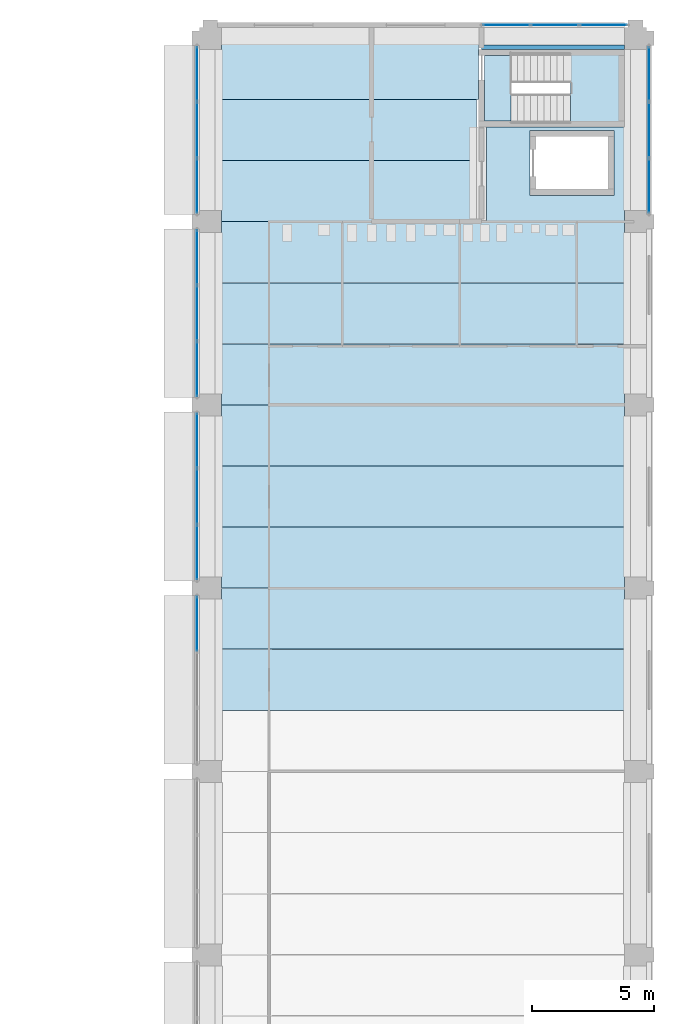
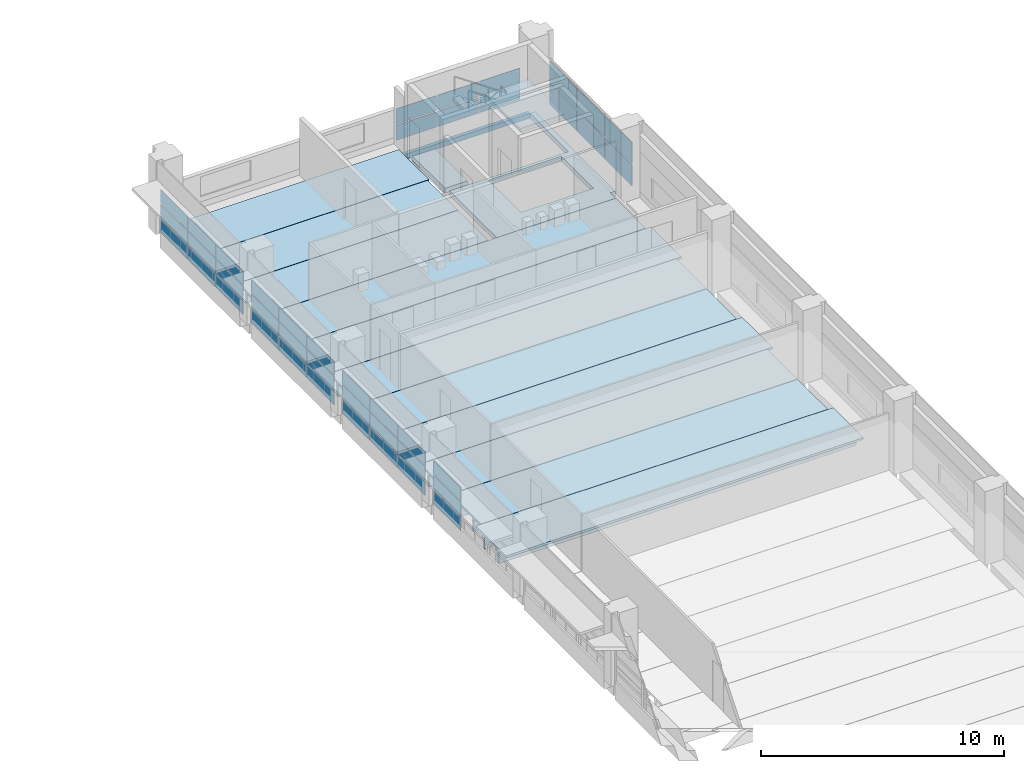
# One storey, part 28 of 57: 42 plates, 15 slabs, 7 elements without a shape of their own.
"""IFC4 building model written with IfcOpenShell, lengths in metres."""

from ifc_helpers import new_model, si_unit, direction, frame, origin, origin_2d, place, context, subcontext, project, spatial, polyline, rectangle, outline, extrude, material, layer, layer_set, material_profile, profile_set, type_object, element, aggregate, save


model = new_model("IFC4")

# Units and contexts
model_context = context("Model", 3, precision=1e-05, world=origin(), true_north=direction((0.0, 1.0)))
body_context = subcontext(model_context, "Body", "Model", "MODEL_VIEW")
ifc_project = project(units=[si_unit("LENGTHUNIT", "METRE"), si_unit("AREAUNIT", "SQUARE_METRE"), si_unit("VOLUMEUNIT", "CUBIC_METRE"), si_unit("PLANEANGLEUNIT", "RADIAN"), si_unit("MASSUNIT", "GRAM", prefix="KILO")], contexts=[model_context])

# Site, building, storey
site_placement = place(None, origin())
site = spatial("IfcSite", under=ifc_project, at=site_placement, CompositionType="ELEMENT")
building_placement = place(site_placement, origin())
building = spatial("IfcBuilding", under=site, at=building_placement, Name="Cour d'Honneur Mobility Palace", CompositionType="ELEMENT")
storey_placement = place(building_placement, frame((0.0, 0.0, 8.199951171875)))
storey = spatial("IfcBuildingStorey", under=building, at=storey_placement, Name="L02", CompositionType="ELEMENT", Elevation=8.199951171875)

# Slabs
ifc_material_1 = material(Name="Concrete C50", Category="concrete")
ifc_layer_1 = layer(ifc_material_1, 0.25)
ifc_layer_set_1 = layer_set([ifc_layer_1], Name="Concrete C50")
slab_type_1 = type_object("IfcSlabType", Name="Cast-in-place Slab 250", PredefinedType="FLOOR", material=ifc_layer_set_1)
slab_1_placement = place(storey_placement, frame((0.0, 0.0, -0.25)))
element("IfcSlab", 1, at=slab_1_placement, inside=storey, type_object=slab_type_1, Name="Cast-in-place slab S1 L02 core", PredefinedType="FLOOR", context=body_context, shape_type="SweptSolid", body=[
    extrude(outline(polyline([(161.85009765625, 114.449951171875), (156.0, 114.449951171875), (156.0, 114.625), (161.85009765625, 114.625), (161.85009765625, 114.449951171875)])), origin(), (0.0, 0.0, 1.0), 0.25),
])
slab_2_placement = place(storey_placement, frame((0.0, 0.0, -0.25)))
element("IfcSlab", 2, at=slab_2_placement, inside=storey, type_object=slab_type_1, Name="Cast-in-place slab S1 L02 core", PredefinedType="FLOOR", context=body_context, shape_type="SweptSolid", body=[
    extrude(outline(polyline([(162.10009765625, 114.449951171875), (162.10009765625, 107.85009765625), (161.85009765625, 107.85009765625), (161.85009765625, 107.39990234375), (156.199951171875, 107.39990234375), (156.199951171875, 111.27490234375), (161.85009765625, 111.27490234375), (161.85009765625, 114.449951171875), (162.10009765625, 114.449951171875)]), holes=[polyline([(161.425048828125, 111.125), (157.97509765625, 111.125), (157.97509765625, 108.47509765625), (161.425048828125, 108.47509765625), (161.425048828125, 111.125)])]), origin(), (0.0, 0.0, 1.0), 0.25),
])
slab_3_placement = place(storey_placement, frame((0.0, 0.0, -0.25)))
element("IfcSlab", 3, at=slab_3_placement, inside=storey, type_object=slab_type_1, Name="Cast-in-place slab S1 L02 core", PredefinedType="FLOOR", context=body_context, shape_type="SweptSolid", body=[
    extrude(outline(polyline([(156.125, 114.199951171875), (157.199951171875, 114.199951171875), (157.199951171875, 111.52490234375), (156.125, 111.52490234375), (156.125, 114.199951171875)])), origin(), (0.0, 0.0, 1.0), 0.25),
])

# Curtain wall, plates
ifc_material_2 = material(Name="Aluminium and glass", Category="aluminium")
ifc_layer_2 = layer(ifc_material_2, 0.10009765625)
ifc_layer_set_2 = layer_set([ifc_layer_2], Name="Aluminium and glass")
curtain_wall_type = type_object("IfcCurtainWallType", Name="Curtain wall run", PredefinedType="NOTDEFINED", material=ifc_layer_set_2)
curtain_wall_1_placement = place(storey_placement, origin())
curtain_wall_1 = element("IfcCurtainWall", 4, at=curtain_wall_1_placement, inside=storey, type_object=curtain_wall_type, Name="Curtain wall CW-51", PredefinedType="NOTDEFINED")
ifc_material_3 = material(Name="Double glazing", Category="glass")
ifc_layer_3 = layer(ifc_material_3, 0.028076171875)
ifc_layer_set_3 = layer_set([ifc_layer_3], Name="Double glazing")
plate_type = type_object("IfcPlateType", Name="Curtain wall panel", PredefinedType="CURTAIN_PANEL", material=ifc_layer_set_3)
plate_1_placement = place(storey_placement, frame((144.35009765625, 113.43505859375, 0.06005859375), z_axis=(0.0, 0.0, 1.0), x_axis=(0.0, -1.0, 0.0)))
plate_1 = element("IfcPlate", 5, at=plate_1_placement, type_object=plate_type, Name="CW-51 panel 1.1", PredefinedType="CURTAIN_PANEL", context=body_context, shape_type="SweptSolid", body=[
    extrude(rectangle(XDim=2.2099609375, YDim=0.028076171875, at=origin_2d()), origin(), (0.0, 0.0, 1.0), 0.6767578125),
])
plate_2_placement = place(storey_placement, frame((144.35009765625, 113.43505859375, 0.796875), z_axis=(0.0, 0.0, 1.0), x_axis=(0.0, -1.0, 0.0)))
plate_2 = element("IfcPlate", 6, at=plate_2_placement, type_object=plate_type, Name="CW-51 panel 1.2", PredefinedType="CURTAIN_PANEL", context=body_context, shape_type="SweptSolid", body=[
    extrude(rectangle(XDim=2.2099609375, YDim=0.028076171875, at=origin_2d()), origin(), (0.0, 0.0, 1.0), 0.706787109375),
])
plate_3_placement = place(storey_placement, frame((144.35009765625, 113.43505859375, 1.563232421875), z_axis=(0.0, 0.0, 1.0), x_axis=(0.0, -1.0, 0.0)))
plate_3 = element("IfcPlate", 7, at=plate_3_placement, type_object=plate_type, Name="CW-51 panel 1.3", PredefinedType="CURTAIN_PANEL", context=body_context, shape_type="SweptSolid", body=[
    extrude(rectangle(XDim=2.2099609375, YDim=0.028076171875, at=origin_2d()), origin(), (0.0, 0.0, 1.0), 0.6767578125),
])
plate_4_placement = place(storey_placement, frame((144.35009765625, 111.14990234375, 0.06005859375), z_axis=(0.0, 0.0, 1.0), x_axis=(0.0, -1.0, 0.0)))
plate_4 = element("IfcPlate", 8, at=plate_4_placement, type_object=plate_type, Name="CW-51 panel 2.1", PredefinedType="CURTAIN_PANEL", context=body_context, shape_type="SweptSolid", body=[
    extrude(rectangle(XDim=2.239990234375, YDim=0.028076171875, at=origin_2d()), origin(), (0.0, 0.0, 1.0), 0.6767578125),
])
plate_5_placement = place(storey_placement, frame((144.35009765625, 111.14990234375, 0.796875), z_axis=(0.0, 0.0, 1.0), x_axis=(0.0, -1.0, 0.0)))
plate_5 = element("IfcPlate", 9, at=plate_5_placement, type_object=plate_type, Name="CW-51 panel 2.2", PredefinedType="CURTAIN_PANEL", context=body_context, shape_type="SweptSolid", body=[
    extrude(rectangle(XDim=2.239990234375, YDim=0.028076171875, at=origin_2d()), origin(), (0.0, 0.0, 1.0), 0.706787109375),
])
plate_6_placement = place(storey_placement, frame((144.35009765625, 111.14990234375, 1.563232421875), z_axis=(0.0, 0.0, 1.0), x_axis=(0.0, -1.0, 0.0)))
plate_6 = element("IfcPlate", 10, at=plate_6_placement, type_object=plate_type, Name="CW-51 panel 2.3", PredefinedType="CURTAIN_PANEL", context=body_context, shape_type="SweptSolid", body=[
    extrude(rectangle(XDim=2.239990234375, YDim=0.028076171875, at=origin_2d()), origin(), (0.0, 0.0, 1.0), 0.6767578125),
])
plate_7_placement = place(storey_placement, frame((144.35009765625, 108.864990234375, 0.06005859375), z_axis=(0.0, 0.0, 1.0), x_axis=(0.0, -1.0, 0.0)))
plate_7 = element("IfcPlate", 11, at=plate_7_placement, type_object=plate_type, Name="CW-51 panel 3.1", PredefinedType="CURTAIN_PANEL", context=body_context, shape_type="SweptSolid", body=[
    extrude(rectangle(XDim=2.2099609375, YDim=0.028076171875, at=origin_2d()), origin(), (0.0, 0.0, 1.0), 0.6767578125),
])
plate_8_placement = place(storey_placement, frame((144.35009765625, 108.864990234375, 0.796875), z_axis=(0.0, 0.0, 1.0), x_axis=(0.0, -1.0, 0.0)))
plate_8 = element("IfcPlate", 12, at=plate_8_placement, type_object=plate_type, Name="CW-51 panel 3.2", PredefinedType="CURTAIN_PANEL", context=body_context, shape_type="SweptSolid", body=[
    extrude(rectangle(XDim=2.2099609375, YDim=0.028076171875, at=origin_2d()), origin(), (0.0, 0.0, 1.0), 0.706787109375),
])
plate_9_placement = place(storey_placement, frame((144.35009765625, 108.864990234375, 1.563232421875), z_axis=(0.0, 0.0, 1.0), x_axis=(0.0, -1.0, 0.0)))
plate_9 = element("IfcPlate", 13, at=plate_9_placement, type_object=plate_type, Name="CW-51 panel 3.3", PredefinedType="CURTAIN_PANEL", context=body_context, shape_type="SweptSolid", body=[
    extrude(rectangle(XDim=2.2099609375, YDim=0.028076171875, at=origin_2d()), origin(), (0.0, 0.0, 1.0), 0.6767578125),
])
aggregate(curtain_wall_1, [plate_1, plate_2, plate_3, plate_4, plate_5, plate_6, plate_7, plate_8, plate_9])

curtain_wall_2_placement = place(storey_placement, origin())
curtain_wall_2 = element("IfcCurtainWall", 14, at=curtain_wall_2_placement, inside=storey, type_object=curtain_wall_type, Name="Curtain wall CW-52", PredefinedType="NOTDEFINED")
plate_10_placement = place(storey_placement, frame((144.35009765625, 105.93505859375, 0.06005859375), z_axis=(0.0, 0.0, 1.0), x_axis=(0.0, -1.0, 0.0)))
plate_10 = element("IfcPlate", 15, at=plate_10_placement, type_object=plate_type, Name="CW-52 panel 1.1", PredefinedType="CURTAIN_PANEL", context=body_context, shape_type="SweptSolid", body=[
    extrude(rectangle(XDim=2.2099609375, YDim=0.028076171875, at=origin_2d()), origin(), (0.0, 0.0, 1.0), 0.6767578125),
])
plate_11_placement = place(storey_placement, frame((144.35009765625, 105.93505859375, 0.796875), z_axis=(0.0, 0.0, 1.0), x_axis=(0.0, -1.0, 0.0)))
plate_11 = element("IfcPlate", 16, at=plate_11_placement, type_object=plate_type, Name="CW-52 panel 1.2", PredefinedType="CURTAIN_PANEL", context=body_context, shape_type="SweptSolid", body=[
    extrude(rectangle(XDim=2.2099609375, YDim=0.028076171875, at=origin_2d()), origin(), (0.0, 0.0, 1.0), 0.706787109375),
])
plate_12_placement = place(storey_placement, frame((144.35009765625, 105.93505859375, 1.563232421875), z_axis=(0.0, 0.0, 1.0), x_axis=(0.0, -1.0, 0.0)))
plate_12 = element("IfcPlate", 17, at=plate_12_placement, type_object=plate_type, Name="CW-52 panel 1.3", PredefinedType="CURTAIN_PANEL", context=body_context, shape_type="SweptSolid", body=[
    extrude(rectangle(XDim=2.2099609375, YDim=0.028076171875, at=origin_2d()), origin(), (0.0, 0.0, 1.0), 0.6767578125),
])
plate_13_placement = place(storey_placement, frame((144.35009765625, 103.64990234375, 0.06005859375), z_axis=(0.0, 0.0, 1.0), x_axis=(0.0, -1.0, 0.0)))
plate_13 = element("IfcPlate", 18, at=plate_13_placement, type_object=plate_type, Name="CW-52 panel 2.1", PredefinedType="CURTAIN_PANEL", context=body_context, shape_type="SweptSolid", body=[
    extrude(rectangle(XDim=2.239990234375, YDim=0.028076171875, at=origin_2d()), origin(), (0.0, 0.0, 1.0), 0.6767578125),
])
plate_14_placement = place(storey_placement, frame((144.35009765625, 103.64990234375, 0.796875), z_axis=(0.0, 0.0, 1.0), x_axis=(0.0, -1.0, 0.0)))
plate_14 = element("IfcPlate", 19, at=plate_14_placement, type_object=plate_type, Name="CW-52 panel 2.2", PredefinedType="CURTAIN_PANEL", context=body_context, shape_type="SweptSolid", body=[
    extrude(rectangle(XDim=2.239990234375, YDim=0.028076171875, at=origin_2d()), origin(), (0.0, 0.0, 1.0), 0.706787109375),
])
plate_15_placement = place(storey_placement, frame((144.35009765625, 103.64990234375, 1.563232421875), z_axis=(0.0, 0.0, 1.0), x_axis=(0.0, -1.0, 0.0)))
plate_15 = element("IfcPlate", 20, at=plate_15_placement, type_object=plate_type, Name="CW-52 panel 2.3", PredefinedType="CURTAIN_PANEL", context=body_context, shape_type="SweptSolid", body=[
    extrude(rectangle(XDim=2.239990234375, YDim=0.028076171875, at=origin_2d()), origin(), (0.0, 0.0, 1.0), 0.6767578125),
])
plate_16_placement = place(storey_placement, frame((144.35009765625, 101.364990234375, 0.06005859375), z_axis=(0.0, 0.0, 1.0), x_axis=(0.0, -1.0, 0.0)))
plate_16 = element("IfcPlate", 21, at=plate_16_placement, type_object=plate_type, Name="CW-52 panel 3.1", PredefinedType="CURTAIN_PANEL", context=body_context, shape_type="SweptSolid", body=[
    extrude(rectangle(XDim=2.2099609375, YDim=0.028076171875, at=origin_2d()), origin(), (0.0, 0.0, 1.0), 0.6767578125),
])
plate_17_placement = place(storey_placement, frame((144.35009765625, 101.364990234375, 0.796875), z_axis=(0.0, 0.0, 1.0), x_axis=(0.0, -1.0, 0.0)))
plate_17 = element("IfcPlate", 22, at=plate_17_placement, type_object=plate_type, Name="CW-52 panel 3.2", PredefinedType="CURTAIN_PANEL", context=body_context, shape_type="SweptSolid", body=[
    extrude(rectangle(XDim=2.2099609375, YDim=0.028076171875, at=origin_2d()), origin(), (0.0, 0.0, 1.0), 0.706787109375),
])
plate_18_placement = place(storey_placement, frame((144.35009765625, 101.364990234375, 1.563232421875), z_axis=(0.0, 0.0, 1.0), x_axis=(0.0, -1.0, 0.0)))
plate_18 = element("IfcPlate", 23, at=plate_18_placement, type_object=plate_type, Name="CW-52 panel 3.3", PredefinedType="CURTAIN_PANEL", context=body_context, shape_type="SweptSolid", body=[
    extrude(rectangle(XDim=2.2099609375, YDim=0.028076171875, at=origin_2d()), origin(), (0.0, 0.0, 1.0), 0.6767578125),
])
aggregate(curtain_wall_2, [plate_10, plate_11, plate_12, plate_13, plate_14, plate_15, plate_16, plate_17, plate_18])

curtain_wall_3_placement = place(storey_placement, origin())
curtain_wall_3 = element("IfcCurtainWall", 24, at=curtain_wall_3_placement, inside=storey, type_object=curtain_wall_type, Name="Curtain wall CW-53", PredefinedType="NOTDEFINED")
plate_19_placement = place(storey_placement, frame((144.35009765625, 98.43505859375, 0.06005859375), z_axis=(0.0, 0.0, 1.0), x_axis=(0.0, -1.0, 0.0)))
plate_19 = element("IfcPlate", 25, at=plate_19_placement, type_object=plate_type, Name="CW-53 panel 1.1", PredefinedType="CURTAIN_PANEL", context=body_context, shape_type="SweptSolid", body=[
    extrude(rectangle(XDim=2.2099609375, YDim=0.028076171875, at=origin_2d()), origin(), (0.0, 0.0, 1.0), 0.6767578125),
])
plate_20_placement = place(storey_placement, frame((144.35009765625, 98.43505859375, 0.796875), z_axis=(0.0, 0.0, 1.0), x_axis=(0.0, -1.0, 0.0)))
plate_20 = element("IfcPlate", 26, at=plate_20_placement, type_object=plate_type, Name="CW-53 panel 1.2", PredefinedType="CURTAIN_PANEL", context=body_context, shape_type="SweptSolid", body=[
    extrude(rectangle(XDim=2.2099609375, YDim=0.028076171875, at=origin_2d()), origin(), (0.0, 0.0, 1.0), 0.706787109375),
])
plate_21_placement = place(storey_placement, frame((144.35009765625, 98.43505859375, 1.563232421875), z_axis=(0.0, 0.0, 1.0), x_axis=(0.0, -1.0, 0.0)))
plate_21 = element("IfcPlate", 27, at=plate_21_placement, type_object=plate_type, Name="CW-53 panel 1.3", PredefinedType="CURTAIN_PANEL", context=body_context, shape_type="SweptSolid", body=[
    extrude(rectangle(XDim=2.2099609375, YDim=0.028076171875, at=origin_2d()), origin(), (0.0, 0.0, 1.0), 0.6767578125),
])
plate_22_placement = place(storey_placement, frame((144.35009765625, 96.14990234375, 0.06005859375), z_axis=(0.0, 0.0, 1.0), x_axis=(0.0, -1.0, 0.0)))
plate_22 = element("IfcPlate", 28, at=plate_22_placement, type_object=plate_type, Name="CW-53 panel 2.1", PredefinedType="CURTAIN_PANEL", context=body_context, shape_type="SweptSolid", body=[
    extrude(rectangle(XDim=2.239990234375, YDim=0.028076171875, at=origin_2d()), origin(), (0.0, 0.0, 1.0), 0.6767578125),
])
plate_23_placement = place(storey_placement, frame((144.35009765625, 96.14990234375, 0.796875), z_axis=(0.0, 0.0, 1.0), x_axis=(0.0, -1.0, 0.0)))
plate_23 = element("IfcPlate", 29, at=plate_23_placement, type_object=plate_type, Name="CW-53 panel 2.2", PredefinedType="CURTAIN_PANEL", context=body_context, shape_type="SweptSolid", body=[
    extrude(rectangle(XDim=2.239990234375, YDim=0.028076171875, at=origin_2d()), origin(), (0.0, 0.0, 1.0), 0.706787109375),
])
plate_24_placement = place(storey_placement, frame((144.35009765625, 96.14990234375, 1.563232421875), z_axis=(0.0, 0.0, 1.0), x_axis=(0.0, -1.0, 0.0)))
plate_24 = element("IfcPlate", 30, at=plate_24_placement, type_object=plate_type, Name="CW-53 panel 2.3", PredefinedType="CURTAIN_PANEL", context=body_context, shape_type="SweptSolid", body=[
    extrude(rectangle(XDim=2.239990234375, YDim=0.028076171875, at=origin_2d()), origin(), (0.0, 0.0, 1.0), 0.6767578125),
])
plate_25_placement = place(storey_placement, frame((144.35009765625, 93.864990234375, 0.06005859375), z_axis=(0.0, 0.0, 1.0), x_axis=(0.0, -1.0, 0.0)))
plate_25 = element("IfcPlate", 31, at=plate_25_placement, type_object=plate_type, Name="CW-53 panel 3.1", PredefinedType="CURTAIN_PANEL", context=body_context, shape_type="SweptSolid", body=[
    extrude(rectangle(XDim=2.2099609375, YDim=0.028076171875, at=origin_2d()), origin(), (0.0, 0.0, 1.0), 0.6767578125),
])
plate_26_placement = place(storey_placement, frame((144.35009765625, 93.864990234375, 0.796875), z_axis=(0.0, 0.0, 1.0), x_axis=(0.0, -1.0, 0.0)))
plate_26 = element("IfcPlate", 32, at=plate_26_placement, type_object=plate_type, Name="CW-53 panel 3.2", PredefinedType="CURTAIN_PANEL", context=body_context, shape_type="SweptSolid", body=[
    extrude(rectangle(XDim=2.2099609375, YDim=0.028076171875, at=origin_2d()), origin(), (0.0, 0.0, 1.0), 0.706787109375),
])
plate_27_placement = place(storey_placement, frame((144.35009765625, 93.864990234375, 1.563232421875), z_axis=(0.0, 0.0, 1.0), x_axis=(0.0, -1.0, 0.0)))
plate_27 = element("IfcPlate", 33, at=plate_27_placement, type_object=plate_type, Name="CW-53 panel 3.3", PredefinedType="CURTAIN_PANEL", context=body_context, shape_type="SweptSolid", body=[
    extrude(rectangle(XDim=2.2099609375, YDim=0.028076171875, at=origin_2d()), origin(), (0.0, 0.0, 1.0), 0.6767578125),
])
aggregate(curtain_wall_3, [plate_19, plate_20, plate_21, plate_22, plate_23, plate_24, plate_25, plate_26, plate_27])

curtain_wall_4_placement = place(storey_placement, origin())
curtain_wall_4 = element("IfcCurtainWall", 34, at=curtain_wall_4_placement, inside=storey, type_object=curtain_wall_type, Name="Curtain wall CW-54", PredefinedType="NOTDEFINED")
plate_28_placement = place(storey_placement, frame((144.35009765625, 90.93505859375, 0.06005859375), z_axis=(0.0, 0.0, 1.0), x_axis=(0.0, -1.0, 0.0)))
plate_28 = element("IfcPlate", 35, at=plate_28_placement, type_object=plate_type, Name="CW-54 panel 1.1", PredefinedType="CURTAIN_PANEL", context=body_context, shape_type="SweptSolid", body=[
    extrude(rectangle(XDim=2.2099609375, YDim=0.028076171875, at=origin_2d()), origin(), (0.0, 0.0, 1.0), 0.6767578125),
])
plate_29_placement = place(storey_placement, frame((144.35009765625, 90.93505859375, 0.796875), z_axis=(0.0, 0.0, 1.0), x_axis=(0.0, -1.0, 0.0)))
plate_29 = element("IfcPlate", 36, at=plate_29_placement, type_object=plate_type, Name="CW-54 panel 1.2", PredefinedType="CURTAIN_PANEL", context=body_context, shape_type="SweptSolid", body=[
    extrude(rectangle(XDim=2.2099609375, YDim=0.028076171875, at=origin_2d()), origin(), (0.0, 0.0, 1.0), 0.706787109375),
])
plate_30_placement = place(storey_placement, frame((144.35009765625, 90.93505859375, 1.563232421875), z_axis=(0.0, 0.0, 1.0), x_axis=(0.0, -1.0, 0.0)))
plate_30 = element("IfcPlate", 37, at=plate_30_placement, type_object=plate_type, Name="CW-54 panel 1.3", PredefinedType="CURTAIN_PANEL", context=body_context, shape_type="SweptSolid", body=[
    extrude(rectangle(XDim=2.2099609375, YDim=0.028076171875, at=origin_2d()), origin(), (0.0, 0.0, 1.0), 0.6767578125),
])
aggregate(curtain_wall_4, [plate_28, plate_29, plate_30])

curtain_wall_5_placement = place(storey_placement, origin())
curtain_wall_5 = element("IfcCurtainWall", 38, at=curtain_wall_5_placement, inside=storey, type_object=curtain_wall_type, Name="Curtain wall CW-115", PredefinedType="NOTDEFINED")
plate_31_placement = place(storey_placement, frame((162.85009765625, 108.864990234375, 0.06005859375), z_axis=(0.0, 0.0, 1.0), x_axis=(0.0, 1.0, 0.0)))
plate_31 = element("IfcPlate", 39, at=plate_31_placement, type_object=plate_type, Name="CW-115 panel 1.1", PredefinedType="CURTAIN_PANEL", context=body_context, shape_type="SweptSolid", body=[
    extrude(rectangle(XDim=2.2099609375, YDim=0.028076171875, at=origin_2d()), origin(), (0.0, 0.0, 1.0), 1.06005859375),
])
plate_32_placement = place(storey_placement, frame((162.85009765625, 108.864990234375, 1.179931640625), z_axis=(0.0, 0.0, 1.0), x_axis=(0.0, 1.0, 0.0)))
plate_32 = element("IfcPlate", 40, at=plate_32_placement, type_object=plate_type, Name="CW-115 panel 1.2", PredefinedType="CURTAIN_PANEL", context=body_context, shape_type="SweptSolid", body=[
    extrude(rectangle(XDim=2.2099609375, YDim=0.028076171875, at=origin_2d()), origin(), (0.0, 0.0, 1.0), 1.06005859375),
])
plate_33_placement = place(storey_placement, frame((162.85009765625, 111.14990234375, 0.06005859375), z_axis=(0.0, 0.0, 1.0), x_axis=(0.0, 1.0, 0.0)))
plate_33 = element("IfcPlate", 41, at=plate_33_placement, type_object=plate_type, Name="CW-115 panel 2.1", PredefinedType="CURTAIN_PANEL", context=body_context, shape_type="SweptSolid", body=[
    extrude(rectangle(XDim=2.239990234375, YDim=0.028076171875, at=origin_2d()), origin(), (0.0, 0.0, 1.0), 1.06005859375),
])
plate_34_placement = place(storey_placement, frame((162.85009765625, 111.14990234375, 1.179931640625), z_axis=(0.0, 0.0, 1.0), x_axis=(0.0, 1.0, 0.0)))
plate_34 = element("IfcPlate", 42, at=plate_34_placement, type_object=plate_type, Name="CW-115 panel 2.2", PredefinedType="CURTAIN_PANEL", context=body_context, shape_type="SweptSolid", body=[
    extrude(rectangle(XDim=2.239990234375, YDim=0.028076171875, at=origin_2d()), origin(), (0.0, 0.0, 1.0), 1.06005859375),
])
plate_35_placement = place(storey_placement, frame((162.85009765625, 113.43505859375, 0.06005859375), z_axis=(0.0, 0.0, 1.0), x_axis=(0.0, 1.0, 0.0)))
plate_35 = element("IfcPlate", 43, at=plate_35_placement, type_object=plate_type, Name="CW-115 panel 3.1", PredefinedType="CURTAIN_PANEL", context=body_context, shape_type="SweptSolid", body=[
    extrude(rectangle(XDim=2.2099609375, YDim=0.028076171875, at=origin_2d()), origin(), (0.0, 0.0, 1.0), 1.06005859375),
])
plate_36_placement = place(storey_placement, frame((162.85009765625, 113.43505859375, 1.179931640625), z_axis=(0.0, 0.0, 1.0), x_axis=(0.0, 1.0, 0.0)))
plate_36 = element("IfcPlate", 44, at=plate_36_placement, type_object=plate_type, Name="CW-115 panel 3.2", PredefinedType="CURTAIN_PANEL", context=body_context, shape_type="SweptSolid", body=[
    extrude(rectangle(XDim=2.2099609375, YDim=0.028076171875, at=origin_2d()), origin(), (0.0, 0.0, 1.0), 1.06005859375),
])
aggregate(curtain_wall_5, [plate_31, plate_32, plate_33, plate_34, plate_35, plate_36])

curtain_wall_6_placement = place(storey_placement, origin())
curtain_wall_6 = element("IfcCurtainWall", 45, at=curtain_wall_6_placement, inside=storey, type_object=curtain_wall_type, Name="Curtain wall CW-116", PredefinedType="NOTDEFINED")
plate_37_placement = place(storey_placement, frame((160.985107421875, 115.449951171875, 0.06005859375), z_axis=(0.0, 0.0, 1.0), x_axis=(-1.0, 0.0, 0.0)))
plate_37 = element("IfcPlate", 46, at=plate_37_placement, type_object=plate_type, Name="CW-116 panel 1.1", PredefinedType="CURTAIN_PANEL", context=body_context, shape_type="SweptSolid", body=[
    extrude(rectangle(XDim=1.909912109375, YDim=0.028076171875, at=origin_2d()), origin(), (0.0, 0.0, 1.0), 0.760009765625),
])
plate_38_placement = place(storey_placement, frame((160.985107421875, 115.449951171875, 0.8798828125), z_axis=(0.0, 0.0, 1.0), x_axis=(-1.0, 0.0, 0.0)))
plate_38 = element("IfcPlate", 47, at=plate_38_placement, type_object=plate_type, Name="CW-116 panel 1.2", PredefinedType="CURTAIN_PANEL", context=body_context, shape_type="SweptSolid", body=[
    extrude(rectangle(XDim=1.909912109375, YDim=0.028076171875, at=origin_2d()), origin(), (0.0, 0.0, 1.0), 0.760009765625),
])
plate_39_placement = place(storey_placement, frame((159.0, 115.449951171875, 0.06005859375), z_axis=(0.0, 0.0, 1.0), x_axis=(-1.0, 0.0, 0.0)))
plate_39 = element("IfcPlate", 48, at=plate_39_placement, type_object=plate_type, Name="CW-116 panel 2.1", PredefinedType="CURTAIN_PANEL", context=body_context, shape_type="SweptSolid", body=[
    extrude(rectangle(XDim=1.93994140625, YDim=0.028076171875, at=origin_2d()), origin(), (0.0, 0.0, 1.0), 0.760009765625),
])
plate_40_placement = place(storey_placement, frame((159.0, 115.449951171875, 0.8798828125), z_axis=(0.0, 0.0, 1.0), x_axis=(-1.0, 0.0, 0.0)))
plate_40 = element("IfcPlate", 49, at=plate_40_placement, type_object=plate_type, Name="CW-116 panel 2.2", PredefinedType="CURTAIN_PANEL", context=body_context, shape_type="SweptSolid", body=[
    extrude(rectangle(XDim=1.93994140625, YDim=0.028076171875, at=origin_2d()), origin(), (0.0, 0.0, 1.0), 0.760009765625),
])
plate_41_placement = place(storey_placement, frame((157.014892578125, 115.449951171875, 0.06005859375), z_axis=(0.0, 0.0, 1.0), x_axis=(-1.0, 0.0, 0.0)))
plate_41 = element("IfcPlate", 50, at=plate_41_placement, type_object=plate_type, Name="CW-116 panel 3.1", PredefinedType="CURTAIN_PANEL", context=body_context, shape_type="SweptSolid", body=[
    extrude(rectangle(XDim=1.909912109375, YDim=0.028076171875, at=origin_2d()), origin(), (0.0, 0.0, 1.0), 0.760009765625),
])
plate_42_placement = place(storey_placement, frame((157.014892578125, 115.449951171875, 0.8798828125), z_axis=(0.0, 0.0, 1.0), x_axis=(-1.0, 0.0, 0.0)))
plate_42 = element("IfcPlate", 51, at=plate_42_placement, type_object=plate_type, Name="CW-116 panel 3.2", PredefinedType="CURTAIN_PANEL", context=body_context, shape_type="SweptSolid", body=[
    extrude(rectangle(XDim=1.909912109375, YDim=0.028076171875, at=origin_2d()), origin(), (0.0, 0.0, 1.0), 0.760009765625),
])
aggregate(curtain_wall_6, [plate_37, plate_38, plate_39, plate_40, plate_41, plate_42])

# Slabs
ifc_material_4 = material(Name="Concrete C45", Category="concrete")
ifc_material_profile_1 = material_profile(ifc_material_4, outline(polyline([(-1.2451171875, 0.0), (1.2451171875, 0.0), (1.2451171875, -0.10009765625), (0.679931640625, -0.10009765625), (0.64990234375, -0.60009765625), (0.550048828125, -0.60009765625), (0.52001953125, -0.10009765625), (-0.52001953125, -0.10009765625), (-0.550048828125, -0.60009765625), (-0.64990234375, -0.60009765625), (-0.679931640625, -0.10009765625), (-1.2451171875, -0.10009765625), (-1.2451171875, 0.0)])), Name="DT 2490x600")
ifc_profile_set_1 = profile_set([ifc_material_profile_1], Name="Concrete C45")
slab_type_2 = type_object("IfcSlabType", Name="DT 2490x600", PredefinedType="FLOOR", material=ifc_profile_set_1)
slab_4_placement = place(storey_placement, frame((145.35009765625, 108.64990234375, 0.0), z_axis=(1.0, 0.0, 0.0), x_axis=(0.0, 1.0, 0.0)))
element("IfcSlab", 52, at=slab_4_placement, inside=storey, type_object=slab_type_2, Name="Double tee DT-NE19 L02", PredefinedType="FLOOR", context=body_context, shape_type="SweptSolid", body=[
    extrude(outline(polyline([(-1.2451171875, 0.0), (1.2451171875, 0.0), (1.2451171875, -0.10009765625), (0.679931640625, -0.10009765625), (0.64990234375, -0.60009765625), (0.550048828125, -0.60009765625), (0.52001953125, -0.10009765625), (-0.52001953125, -0.10009765625), (-0.550048828125, -0.60009765625), (-0.64990234375, -0.60009765625), (-0.679931640625, -0.10009765625), (-1.2451171875, -0.10009765625), (-1.2451171875, 0.0)])), origin(), (0.0, 0.0, 1.0), 10.449951171875),
])
slab_5_placement = place(storey_placement, frame((145.10009765625, 111.14990234375, 0.0), z_axis=(1.0, 0.0, 0.0), x_axis=(0.0, 1.0, 0.0)))
element("IfcSlab", 53, at=slab_5_placement, inside=storey, type_object=slab_type_2, Name="Double tee DT-NE20 L02", PredefinedType="FLOOR", context=body_context, shape_type="SweptSolid", body=[
    extrude(outline(polyline([(-1.2451171875, 0.0), (1.2451171875, 0.0), (1.2451171875, -0.10009765625), (0.679931640625, -0.10009765625), (0.64990234375, -0.60009765625), (0.550048828125, -0.60009765625), (0.52001953125, -0.10009765625), (-0.52001953125, -0.10009765625), (-0.550048828125, -0.60009765625), (-0.64990234375, -0.60009765625), (-0.679931640625, -0.10009765625), (-1.2451171875, -0.10009765625), (-1.2451171875, 0.0)])), origin(), (0.0, 0.0, 1.0), 10.699951171875),
])
slab_6_placement = place(storey_placement, frame((145.35009765625, 113.64990234375, 0.0), z_axis=(1.0, 0.0, 0.0), x_axis=(0.0, 1.0, 0.0)))
element("IfcSlab", 54, at=slab_6_placement, inside=storey, type_object=slab_type_2, Name="Double tee DT-NE21 L02", PredefinedType="FLOOR", context=body_context, shape_type="SweptSolid", body=[
    extrude(outline(polyline([(-1.2451171875, 0.0), (1.2451171875, 0.0), (1.2451171875, -0.10009765625), (0.679931640625, -0.10009765625), (0.64990234375, -0.60009765625), (0.550048828125, -0.60009765625), (0.52001953125, -0.10009765625), (-0.52001953125, -0.10009765625), (-0.550048828125, -0.60009765625), (-0.64990234375, -0.60009765625), (-0.679931640625, -0.10009765625), (-1.2451171875, -0.10009765625), (-1.2451171875, 0.0)])), origin(), (0.0, 0.0, 1.0), 10.52490234375),
])
ifc_material_5 = material(Name="Concrete C45", Category="concrete")
ifc_material_profile_2 = material_profile(ifc_material_5, outline(polyline([(-1.2451171875, 0.0), (1.2451171875, 0.0), (1.2451171875, -0.10009765625), (0.679931640625, -0.10009765625), (0.64990234375, -0.75), (0.550048828125, -0.75), (0.52001953125, -0.10009765625), (-0.52001953125, -0.10009765625), (-0.550048828125, -0.75), (-0.64990234375, -0.75), (-0.679931640625, -0.10009765625), (-1.2451171875, -0.10009765625), (-1.2451171875, 0.0)])), Name="DT 2490x750")
ifc_profile_set_2 = profile_set([ifc_material_profile_2], Name="Concrete C45")
slab_type_3 = type_object("IfcSlabType", Name="DT 2490x750", PredefinedType="FLOOR", material=ifc_profile_set_2)
slab_7_placement = place(storey_placement, frame((145.10009765625, 88.64990234375, 0.0), z_axis=(1.0, 0.0, 0.0), x_axis=(0.0, 1.0, 0.0)))
element("IfcSlab", 55, at=slab_7_placement, inside=storey, type_object=slab_type_3, Name="Double tee DT-NE11 L02", PredefinedType="FLOOR", context=body_context, shape_type="SweptSolid", body=[
    extrude(outline(polyline([(-1.2451171875, 0.0), (1.2451171875, 0.0), (1.2451171875, -0.10009765625), (0.679931640625, -0.10009765625), (0.64990234375, -0.75), (0.550048828125, -0.75), (0.52001953125, -0.10009765625), (-0.52001953125, -0.10009765625), (-0.550048828125, -0.75), (-0.64990234375, -0.75), (-0.679931640625, -0.10009765625), (-1.2451171875, -0.10009765625), (-1.2451171875, 0.0)])), origin(), (0.0, 0.0, 1.0), 17.0),
])
for number, where, z_axis, x_axis, name in (
    (56, (145.35009765625, 91.14990234375, 0.0), (1.0, 0.0, 0.0), (0.0, 1.0, 0.0), "Double tee DT-NE12 L02"),
    (57, (145.35009765625, 93.64990234375, 0.0), (1.0, 0.0, 0.0), (0.0, 1.0, 0.0), "Double tee DT-NE13 L02"),
):
    element("IfcSlab", number, at=place(storey_placement, frame(where, z_axis=z_axis, x_axis=x_axis)), inside=storey, type_object=slab_type_3, Name=name, PredefinedType="FLOOR", context=body_context, shape_type="SweptSolid", body=[
        extrude(outline(polyline([(-1.2451171875, 0.0), (1.2451171875, 0.0), (1.2451171875, -0.10009765625), (0.679931640625, -0.10009765625), (0.64990234375, -0.75), (0.550048828125, -0.75), (0.52001953125, -0.10009765625), (-0.52001953125, -0.10009765625), (-0.550048828125, -0.75), (-0.64990234375, -0.75), (-0.679931640625, -0.10009765625), (-1.2451171875, -0.10009765625), (-1.2451171875, 0.0)])), origin(), (0.0, 0.0, 1.0), 16.5),
    ])
slab_8_placement = place(storey_placement, frame((145.10009765625, 96.14990234375, 0.0), z_axis=(1.0, 0.0, 0.0), x_axis=(0.0, 1.0, 0.0)))
element("IfcSlab", 58, at=slab_8_placement, inside=storey, type_object=slab_type_3, Name="Double tee DT-NE14 L02", PredefinedType="FLOOR", context=body_context, shape_type="SweptSolid", body=[
    extrude(outline(polyline([(-1.2451171875, 0.0), (1.2451171875, 0.0), (1.2451171875, -0.10009765625), (0.679931640625, -0.10009765625), (0.64990234375, -0.75), (0.550048828125, -0.75), (0.52001953125, -0.10009765625), (-0.52001953125, -0.10009765625), (-0.550048828125, -0.75), (-0.64990234375, -0.75), (-0.679931640625, -0.10009765625), (-1.2451171875, -0.10009765625), (-1.2451171875, 0.0)])), origin(), (0.0, 0.0, 1.0), 17.0),
])
for number, where, z_axis, x_axis, name in (
    (59, (145.35009765625, 98.64990234375, 0.0), (1.0, 0.0, 0.0), (0.0, 1.0, 0.0), "Double tee DT-NE15 L02"),
    (60, (145.35009765625, 101.14990234375, 0.0), (1.0, 0.0, 0.0), (0.0, 1.0, 0.0), "Double tee DT-NE16 L02"),
):
    element("IfcSlab", number, at=place(storey_placement, frame(where, z_axis=z_axis, x_axis=x_axis)), inside=storey, type_object=slab_type_3, Name=name, PredefinedType="FLOOR", context=body_context, shape_type="SweptSolid", body=[
        extrude(outline(polyline([(-1.2451171875, 0.0), (1.2451171875, 0.0), (1.2451171875, -0.10009765625), (0.679931640625, -0.10009765625), (0.64990234375, -0.75), (0.550048828125, -0.75), (0.52001953125, -0.10009765625), (-0.52001953125, -0.10009765625), (-0.550048828125, -0.75), (-0.64990234375, -0.75), (-0.679931640625, -0.10009765625), (-1.2451171875, -0.10009765625), (-1.2451171875, 0.0)])), origin(), (0.0, 0.0, 1.0), 16.5),
    ])
slab_9_placement = place(storey_placement, frame((145.10009765625, 103.64990234375, 0.0), z_axis=(1.0, 0.0, 0.0), x_axis=(0.0, 1.0, 0.0)))
element("IfcSlab", 61, at=slab_9_placement, inside=storey, type_object=slab_type_3, Name="Double tee DT-NE17 L02", PredefinedType="FLOOR", context=body_context, shape_type="SweptSolid", body=[
    extrude(outline(polyline([(-1.2451171875, 0.0), (1.2451171875, 0.0), (1.2451171875, -0.10009765625), (0.679931640625, -0.10009765625), (0.64990234375, -0.75), (0.550048828125, -0.75), (0.52001953125, -0.10009765625), (-0.52001953125, -0.10009765625), (-0.550048828125, -0.75), (-0.64990234375, -0.75), (-0.679931640625, -0.10009765625), (-1.2451171875, -0.10009765625), (-1.2451171875, 0.0)])), origin(), (0.0, 0.0, 1.0), 17.0),
])
slab_10_placement = place(storey_placement, frame((145.35009765625, 106.14990234375, 0.0), z_axis=(1.0, 0.0, 0.0), x_axis=(0.0, 1.0, 0.0)))
element("IfcSlab", 62, at=slab_10_placement, inside=storey, type_object=slab_type_3, Name="Double tee DT-NE18 L02", PredefinedType="FLOOR", context=body_context, shape_type="SweptSolid", body=[
    extrude(outline(polyline([(-1.2451171875, 0.0), (1.2451171875, 0.0), (1.2451171875, -0.10009765625), (0.679931640625, -0.10009765625), (0.64990234375, -0.75), (0.550048828125, -0.75), (0.52001953125, -0.10009765625), (-0.52001953125, -0.10009765625), (-0.550048828125, -0.75), (-0.64990234375, -0.75), (-0.679931640625, -0.10009765625), (-1.2451171875, -0.10009765625), (-1.2451171875, 0.0)])), origin(), (0.0, 0.0, 1.0), 16.5),
])

# Stair, slab
ifc_material_6 = material(Name="Concrete C50", Category="concrete")
stair_type = type_object("IfcStairType", Name="Stair 20 risers", PredefinedType="HALF_TURN_STAIR", material=ifc_material_6)
stair_placement = place(storey_placement, origin())
stair = element("IfcStair", 63, at=stair_placement, inside=storey, type_object=stair_type, Name="Stair ST-NE1", PredefinedType="HALF_TURN_STAIR")
ifc_material_7 = material(Name="Concrete C50", Category="concrete")
ifc_layer_4 = layer(ifc_material_7, 0.199951171875)
ifc_layer_set_4 = layer_set([ifc_layer_4], Name="Concrete C50")
slab_type_4 = type_object("IfcSlabType", Name="Stair landing", PredefinedType="LANDING", material=ifc_layer_set_4)
slab_11_placement = place(storey_placement, frame((0.0, 0.0, 1.650146484375)))
slab_11 = element("IfcSlab", 64, at=slab_11_placement, type_object=slab_type_4, Name="ST-NE1 landing 1", PredefinedType="LANDING", context=body_context, shape_type="SweptSolid", body=[
    extrude(outline(polyline([(159.6298828125, 111.39990234375), (161.72509765625, 111.39990234375), (161.72509765625, 114.324951171875), (159.6298828125, 114.324951171875), (159.6298828125, 111.39990234375)])), origin(), (0.0, 0.0, 1.0), 0.199951171875),
])
aggregate(stair, [slab_11])

save(model, "model.ifc")
